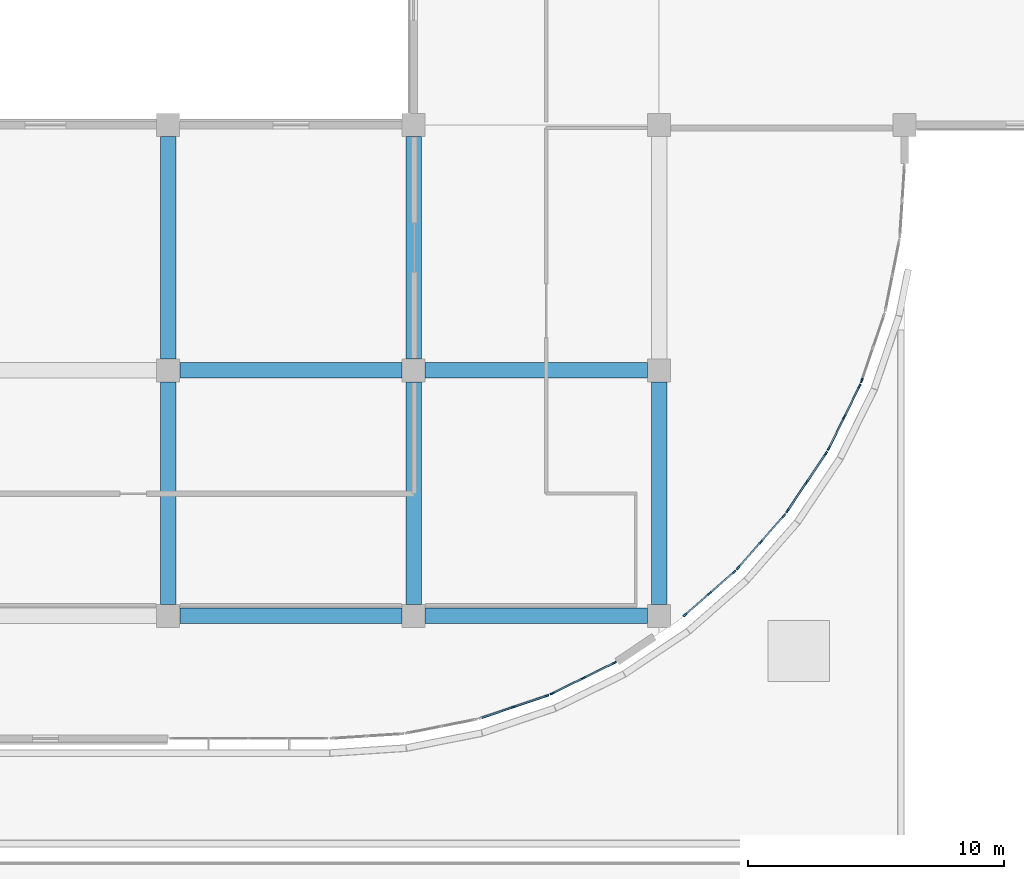
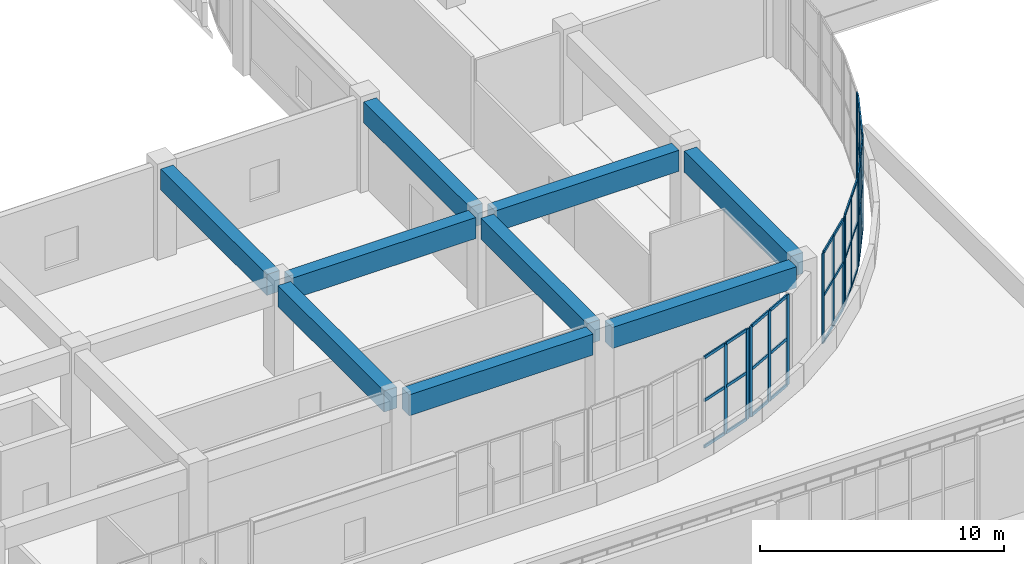
# One storey, part 26 of 96: 54 members, 9 beams, 7 elements without a shape of their own.
"""IFC4 building model written with IfcOpenShell, lengths in metres."""

from ifc_helpers import new_model, si_unit, direction, frame, origin, origin_2d, place, context, subcontext, project, spatial, rectangle, extrude, material, layer, layer_set, material_profile, profile_set, type_object, element, aggregate, save


model = new_model("IFC4")

# Units and contexts
model_context = context("Model", 3, precision=1e-05, world=origin(), true_north=direction((0.0, 1.0)))
body_context = subcontext(model_context, "Body", "Model", "MODEL_VIEW")
ifc_project = project(units=[si_unit("LENGTHUNIT", "METRE"), si_unit("AREAUNIT", "SQUARE_METRE"), si_unit("VOLUMEUNIT", "CUBIC_METRE"), si_unit("PLANEANGLEUNIT", "RADIAN"), si_unit("MASSUNIT", "GRAM", prefix="KILO")], contexts=[model_context])

# Site, building, storey
site_placement = place(None, origin())
site = spatial("IfcSite", under=ifc_project, at=site_placement, CompositionType="ELEMENT")
building_placement = place(site_placement, origin())
building = spatial("IfcBuilding", under=site, at=building_placement, Name="Cendralis Terraced Arcade", CompositionType="ELEMENT")
storey_placement = place(building_placement, frame((0.0, 0.0, 10.199951171875)))
storey = spatial("IfcBuildingStorey", under=building, at=storey_placement, Name="L02", CompositionType="ELEMENT", Elevation=10.199951171875)

# Beams
ifc_material_1 = material(Name="Concrete f'c 35 MPa", Category="concrete")
ifc_material_profile_1 = material_profile(ifc_material_1, rectangle(XDim=0.60009765625, YDim=1.050048828125, at=origin_2d()), Name="RC-BM-600x1050", Category="LoadBearing")
ifc_profile_set_1 = profile_set([ifc_material_profile_1], Name="Concrete f'c 35 MPa")
beam_type = type_object("IfcBeamType", Name="BM-600x1050", PredefinedType="JOIST", material=ifc_profile_set_1)
for number, where, z_axis, x_axis, name in (
    (1, (38.85009765625, 69.60009765625, 3.989990234375), (1.0, 0.0, 0.0), (0.0, 1.0, 0.0), "Reinforced Concrete Frame Beam BM-X-L03-H-5_6"),
    (2, (48.449951171875, 69.60009765625, 3.989990234375), (1.0, 0.0, 0.0), (0.0, 1.0, 0.0), "Reinforced Concrete Frame Beam BM-X-L03-H-6_7"),
    (3, (38.85009765625, 79.199951171875, 3.989990234375), (1.0, 0.0, 0.0), (0.0, 1.0, 0.0), "Reinforced Concrete Frame Beam BM-X-L03-J-5_6"),
    (4, (48.449951171875, 79.199951171875, 3.989990234375), (1.0, 0.0, 0.0), (0.0, 1.0, 0.0), "Reinforced Concrete Frame Beam BM-X-L03-J-6_7"),
    (5, (38.39990234375, 70.050048828125, 3.989990234375), (0.0, 1.0, 0.0), (-1.0, 0.0, 0.0), "Reinforced Concrete Frame Beam BM-Y-L03-5-H_J"),
):
    element("IfcBeam", number, at=place(storey_placement, frame(where, z_axis=z_axis, x_axis=x_axis)), inside=storey, type_object=beam_type, Name=name, PredefinedType="JOIST", context=body_context, shape_type="SweptSolid", body=[
        extrude(rectangle(XDim=0.60009765625, YDim=1.050048828125, at=origin_2d()), origin(), (0.0, 0.0, 1.0), 8.699951171875),
    ])
beam_1_placement = place(storey_placement, frame((38.39990234375, 79.64990234375, 3.989990234375), z_axis=(0.0, 1.0, 0.0), x_axis=(-1.0, 0.0, 0.0)))
element("IfcBeam", 6, at=beam_1_placement, inside=storey, type_object=beam_type, Name="Reinforced Concrete Frame Beam BM-Y-L03-5-J_K", PredefinedType="JOIST", context=body_context, shape_type="SweptSolid", body=[
    extrude(rectangle(XDim=0.60009765625, YDim=1.050048828125, at=origin_2d()), origin(), (0.0, 0.0, 1.0), 8.7001953125),
])
beam_2_placement = place(storey_placement, frame((48.0, 70.050048828125, 3.989990234375), z_axis=(0.0, 1.0, 0.0), x_axis=(-1.0, 0.0, 0.0)))
element("IfcBeam", 7, at=beam_2_placement, inside=storey, type_object=beam_type, Name="Reinforced Concrete Frame Beam BM-Y-L03-6-H_J", PredefinedType="JOIST", context=body_context, shape_type="SweptSolid", body=[
    extrude(rectangle(XDim=0.60009765625, YDim=1.050048828125, at=origin_2d()), origin(), (0.0, 0.0, 1.0), 8.699951171875),
])
beam_3_placement = place(storey_placement, frame((48.0, 79.64990234375, 3.989990234375), z_axis=(0.0, 1.0, 0.0), x_axis=(-1.0, 0.0, 0.0)))
element("IfcBeam", 8, at=beam_3_placement, inside=storey, type_object=beam_type, Name="Reinforced Concrete Frame Beam BM-Y-L03-6-J_K", PredefinedType="JOIST", context=body_context, shape_type="SweptSolid", body=[
    extrude(rectangle(XDim=0.60009765625, YDim=1.050048828125, at=origin_2d()), origin(), (0.0, 0.0, 1.0), 8.7001953125),
])
beam_4_placement = place(storey_placement, frame((57.60009765625, 70.050048828125, 3.989990234375), z_axis=(0.0, 1.0, 0.0), x_axis=(-1.0, 0.0, 0.0)))
element("IfcBeam", 9, at=beam_4_placement, inside=storey, type_object=beam_type, Name="Reinforced Concrete Frame Beam BM-Y-L03-7-H_J", PredefinedType="JOIST", context=body_context, shape_type="SweptSolid", body=[
    extrude(rectangle(XDim=0.60009765625, YDim=1.050048828125, at=origin_2d()), origin(), (0.0, 0.0, 1.0), 8.699951171875),
])

# Curtain wall, member
ifc_material_2 = material(Name="Anodised aluminium EN AW-6063 T6", Category="aluminium")
ifc_layer = layer(ifc_material_2, 0.179931640625, Name="CW-UNIT-A")
ifc_layer_set = layer_set([ifc_layer], Name="Anodised aluminium EN AW-6063 T6")
curtain_wall_type = type_object("IfcCurtainWallType", Name="CW-UNIT-A", PredefinedType="USERDEFINED", material=ifc_layer_set)
curtain_wall_1_placement = place(storey_placement, origin())
curtain_wall_1 = element("IfcCurtainWall", 10, at=curtain_wall_1_placement, inside=storey, type_object=curtain_wall_type, Name="Exterior Unitised Facade CW-L02-0118", ObjectType="UNITISED FACADE", PredefinedType="USERDEFINED")
ifc_material_profile_2 = material_profile(ifc_material_2, rectangle(XDim=0.06494140625, YDim=0.179931640625, at=origin_2d()), Name="ALU-MUL-65x180")
ifc_profile_set_2 = profile_set([ifc_material_profile_2], Name="Anodised aluminium EN AW-6063 T6")
member_type_1 = type_object("IfcMemberType", Name="CW-UNIT-A-MUL", PredefinedType="MULLION", material=ifc_profile_set_2)
member_1_placement = place(storey_placement, frame((65.526611328125, 78.8056640625, 0.0), z_axis=(0.0, 0.0, 1.0), x_axis=(0.94693189345, -0.321434268814, 0.0)))
member_1 = element("IfcMember", 11, at=member_1_placement, type_object=member_type_1, Name="CW-U1 mullion 3", PredefinedType="MULLION", context=body_context, shape_type="SweptSolid", body=[
    extrude(rectangle(XDim=0.06494140625, YDim=0.179931640625, at=origin_2d()), origin(), (0.0, 0.0, 1.0), 4.51513671875),
])
aggregate(curtain_wall_1, [member_1])

# Curtain wall, members
curtain_wall_2_placement = place(storey_placement, origin())
curtain_wall_2 = element("IfcCurtainWall", 12, at=curtain_wall_2_placement, inside=storey, type_object=curtain_wall_type, Name="Exterior Unitised Facade CW-L02-0119", ObjectType="UNITISED FACADE", PredefinedType="USERDEFINED")
member_2_placement = place(storey_placement, frame((65.43310546875, 78.579833984375, 0.0), z_axis=(0.0, 0.0, 1.0), x_axis=(0.896874607047, -0.442284907309, 0.0)))
member_2 = element("IfcMember", 13, at=member_2_placement, type_object=member_type_1, Name="CW-U1 mullion 1", PredefinedType="MULLION", context=body_context, shape_type="SweptSolid", body=[
    extrude(rectangle(XDim=0.06494140625, YDim=0.179931640625, at=origin_2d()), origin(), (0.0, 0.0, 1.0), 4.51513671875),
])
member_3_placement = place(storey_placement, frame((64.83642578125, 77.369873046875, 0.0), z_axis=(0.0, 0.0, 1.0), x_axis=(0.896874607047, -0.442284907309, 0.0)))
member_3 = element("IfcMember", 14, at=member_3_placement, type_object=member_type_1, Name="CW-U1 mullion 2", PredefinedType="MULLION", context=body_context, shape_type="SweptSolid", body=[
    extrude(rectangle(XDim=0.06494140625, YDim=0.179931640625, at=origin_2d()), origin(), (0.0, 0.0, 1.0), 4.51513671875),
])
member_4_placement = place(storey_placement, frame((64.23974609375, 76.159912109375, 0.0), z_axis=(0.0, 0.0, 1.0), x_axis=(0.896874607047, -0.442284907309, 0.0)))
member_4 = element("IfcMember", 15, at=member_4_placement, type_object=member_type_1, Name="CW-U1 mullion 3", PredefinedType="MULLION", context=body_context, shape_type="SweptSolid", body=[
    extrude(rectangle(XDim=0.06494140625, YDim=0.179931640625, at=origin_2d()), origin(), (0.0, 0.0, 1.0), 4.51513671875),
])

curtain_wall_3_placement = place(storey_placement, origin())
curtain_wall_3 = element("IfcCurtainWall", 16, at=curtain_wall_3_placement, inside=storey, type_object=curtain_wall_type, Name="Exterior Unitised Facade CW-L02-0120", ObjectType="UNITISED FACADE", PredefinedType="USERDEFINED")
member_5_placement = place(storey_placement, frame((64.117431640625, 75.9482421875, 0.0), z_axis=(0.0, 0.0, 1.0), x_axis=(0.831476369685, -0.555560119749, 0.0)))
member_5 = element("IfcMember", 17, at=member_5_placement, type_object=member_type_1, Name="CW-U1 mullion 1", PredefinedType="MULLION", context=body_context, shape_type="SweptSolid", body=[
    extrude(rectangle(XDim=0.06494140625, YDim=0.179931640625, at=origin_2d()), origin(), (0.0, 0.0, 1.0), 4.51513671875),
])
member_6_placement = place(storey_placement, frame((63.3681640625, 74.826416015625, 0.0), z_axis=(0.0, 0.0, 1.0), x_axis=(0.831476369685, -0.555560119749, 0.0)))
member_6 = element("IfcMember", 18, at=member_6_placement, type_object=member_type_1, Name="CW-U1 mullion 2", PredefinedType="MULLION", context=body_context, shape_type="SweptSolid", body=[
    extrude(rectangle(XDim=0.06494140625, YDim=0.179931640625, at=origin_2d()), origin(), (0.0, 0.0, 1.0), 4.51513671875),
])
member_7_placement = place(storey_placement, frame((62.61865234375, 73.704833984375, 0.0), z_axis=(0.0, 0.0, 1.0), x_axis=(0.831476369685, -0.555560119749, 0.0)))
member_7 = element("IfcMember", 19, at=member_7_placement, type_object=member_type_1, Name="CW-U1 mullion 3", PredefinedType="MULLION", context=body_context, shape_type="SweptSolid", body=[
    extrude(rectangle(XDim=0.06494140625, YDim=0.179931640625, at=origin_2d()), origin(), (0.0, 0.0, 1.0), 4.51513671875),
])

curtain_wall_4_placement = place(storey_placement, origin())
curtain_wall_4 = element("IfcCurtainWall", 20, at=curtain_wall_4_placement, inside=storey, type_object=curtain_wall_type, Name="Exterior Unitised Facade CW-L02-0121", ObjectType="UNITISED FACADE", PredefinedType="USERDEFINED")
member_8_placement = place(storey_placement, frame((62.4697265625, 73.5107421875, 0.0), z_axis=(0.0, 0.0, 1.0), x_axis=(0.75180947064, -0.659380406029, 0.0)))
member_8 = element("IfcMember", 21, at=member_8_placement, type_object=member_type_1, Name="CW-U1 mullion 1", PredefinedType="MULLION", context=body_context, shape_type="SweptSolid", body=[
    extrude(rectangle(XDim=0.06494140625, YDim=0.179931640625, at=origin_2d()), origin(), (0.0, 0.0, 1.0), 4.51513671875),
])
member_9_placement = place(storey_placement, frame((61.580078125, 72.49658203125, 0.0), z_axis=(0.0, 0.0, 1.0), x_axis=(0.75180947064, -0.659380406029, 0.0)))
member_9 = element("IfcMember", 22, at=member_9_placement, type_object=member_type_1, Name="CW-U1 mullion 2", PredefinedType="MULLION", context=body_context, shape_type="SweptSolid", body=[
    extrude(rectangle(XDim=0.06494140625, YDim=0.179931640625, at=origin_2d()), origin(), (0.0, 0.0, 1.0), 4.51513671875),
])
member_10_placement = place(storey_placement, frame((60.690673828125, 71.482177734375, 0.0), z_axis=(0.0, 0.0, 1.0), x_axis=(0.75180947064, -0.659380406029, 0.0)))
member_10 = element("IfcMember", 23, at=member_10_placement, type_object=member_type_1, Name="CW-U1 mullion 3", PredefinedType="MULLION", context=body_context, shape_type="SweptSolid", body=[
    extrude(rectangle(XDim=0.06494140625, YDim=0.179931640625, at=origin_2d()), origin(), (0.0, 0.0, 1.0), 4.51513671875),
])

curtain_wall_5_placement = place(storey_placement, origin())
curtain_wall_5 = element("IfcCurtainWall", 24, at=curtain_wall_5_placement, inside=storey, type_object=curtain_wall_type, Name="Exterior Unitised Facade CW-L02-0122", ObjectType="UNITISED FACADE", PredefinedType="USERDEFINED")
member_11_placement = place(storey_placement, frame((60.517822265625, 71.309326171875, 0.0), z_axis=(0.0, 0.0, 1.0), x_axis=(0.6593724291, -0.751816466794, 0.0)))
member_11 = element("IfcMember", 25, at=member_11_placement, type_object=member_type_1, Name="CW-U1 mullion 1", PredefinedType="MULLION", context=body_context, shape_type="SweptSolid", body=[
    extrude(rectangle(XDim=0.06494140625, YDim=0.179931640625, at=origin_2d()), origin(), (0.0, 0.0, 1.0), 4.51513671875),
])
member_12_placement = place(storey_placement, frame((59.5673828125, 70.475830078125, 0.0), z_axis=(0.0, 0.0, 1.0), x_axis=(0.6593724291, -0.751816466794, 0.0)))
member_12 = element("IfcMember", 26, at=member_12_placement, type_object=member_type_1, Name="CW-U1 mullion 2", PredefinedType="MULLION", context=body_context, shape_type="SweptSolid", body=[
    extrude(rectangle(XDim=0.06494140625, YDim=0.179931640625, at=origin_2d()), origin(), (0.0, 0.0, 1.0), 4.51513671875),
])
member_13_placement = place(storey_placement, frame((58.6171875, 69.642578125, 0.0), z_axis=(0.0, 0.0, 1.0), x_axis=(0.6593724291, -0.751816466794, 0.0)))
member_13 = element("IfcMember", 27, at=member_13_placement, type_object=member_type_1, Name="CW-U1 mullion 3", PredefinedType="MULLION", context=body_context, shape_type="SweptSolid", body=[
    extrude(rectangle(XDim=0.06494140625, YDim=0.179931640625, at=origin_2d()), origin(), (0.0, 0.0, 1.0), 4.51513671875),
])

curtain_wall_6_placement = place(storey_placement, origin())
curtain_wall_6 = element("IfcCurtainWall", 28, at=curtain_wall_6_placement, inside=storey, type_object=curtain_wall_type, Name="Exterior Unitised Facade CW-L02-0123", ObjectType="UNITISED FACADE", PredefinedType="USERDEFINED")
member_14_placement = place(storey_placement, frame((55.840087890625, 67.76025390625, 0.0), z_axis=(0.0, 0.0, 1.0), x_axis=(0.442284907309, -0.896874607047, 0.0)))
member_14 = element("IfcMember", 29, at=member_14_placement, type_object=member_type_1, Name="CW-U1 mullion 1", PredefinedType="MULLION", context=body_context, shape_type="SweptSolid", body=[
    extrude(rectangle(XDim=0.06494140625, YDim=0.179931640625, at=origin_2d()), origin(), (0.0, 0.0, 1.0), 4.51513671875),
])
member_15_placement = place(storey_placement, frame((54.630126953125, 67.16357421875, 0.0), z_axis=(0.0, 0.0, 1.0), x_axis=(0.442284907309, -0.896874607047, 0.0)))
member_15 = element("IfcMember", 30, at=member_15_placement, type_object=member_type_1, Name="CW-U1 mullion 2", PredefinedType="MULLION", context=body_context, shape_type="SweptSolid", body=[
    extrude(rectangle(XDim=0.06494140625, YDim=0.179931640625, at=origin_2d()), origin(), (0.0, 0.0, 1.0), 4.51513671875),
])
member_16_placement = place(storey_placement, frame((53.420166015625, 66.56689453125, 0.0), z_axis=(0.0, 0.0, 1.0), x_axis=(0.442284907309, -0.896874607047, 0.0)))
member_16 = element("IfcMember", 31, at=member_16_placement, type_object=member_type_1, Name="CW-U1 mullion 3", PredefinedType="MULLION", context=body_context, shape_type="SweptSolid", body=[
    extrude(rectangle(XDim=0.06494140625, YDim=0.179931640625, at=origin_2d()), origin(), (0.0, 0.0, 1.0), 4.51513671875),
])

curtain_wall_7_placement = place(storey_placement, origin())
curtain_wall_7 = element("IfcCurtainWall", 32, at=curtain_wall_7_placement, inside=storey, type_object=curtain_wall_type, Name="Exterior Unitised Facade CW-L02-0124", ObjectType="UNITISED FACADE", PredefinedType="USERDEFINED")
member_17_placement = place(storey_placement, frame((53.1943359375, 66.473388671875, 0.0), z_axis=(0.0, 0.0, 1.0), x_axis=(0.321434268814, -0.94693189345, 0.0)))
member_17 = element("IfcMember", 33, at=member_17_placement, type_object=member_type_1, Name="CW-U1 mullion 1", PredefinedType="MULLION", context=body_context, shape_type="SweptSolid", body=[
    extrude(rectangle(XDim=0.06494140625, YDim=0.179931640625, at=origin_2d()), origin(), (0.0, 0.0, 1.0), 4.51513671875),
])
member_18_placement = place(storey_placement, frame((51.9169921875, 66.039794921875, 0.0), z_axis=(0.0, 0.0, 1.0), x_axis=(0.321434268814, -0.94693189345, 0.0)))
member_18 = element("IfcMember", 34, at=member_18_placement, type_object=member_type_1, Name="CW-U1 mullion 2", PredefinedType="MULLION", context=body_context, shape_type="SweptSolid", body=[
    extrude(rectangle(XDim=0.06494140625, YDim=0.179931640625, at=origin_2d()), origin(), (0.0, 0.0, 1.0), 4.51513671875),
])

# Member
ifc_material_profile_3 = material_profile(ifc_material_2, rectangle(XDim=0.06494140625, YDim=0.14990234375, at=origin_2d()), Name="ALU-TRN-65x150")
ifc_profile_set_3 = profile_set([ifc_material_profile_3], Name="Anodised aluminium EN AW-6063 T6")
member_type_2 = type_object("IfcMemberType", Name="CW-UNIT-A-TRN", PredefinedType="USERDEFINED", material=ifc_profile_set_3)
member_19_placement = place(storey_placement, frame((65.418701171875, 78.550537109375, 0.032470703125), z_axis=(-0.442263152263, -0.896885335007, 0.0), x_axis=(0.896885335007, -0.442263152263, 0.0)))
member_19 = element("IfcMember", 35, at=member_19_placement, type_object=member_type_2, Name="CW-U1 transom 1.1", ObjectType="TRANSOM", PredefinedType="USERDEFINED", context=body_context, shape_type="SweptSolid", body=[
    extrude(rectangle(XDim=0.06494140625, YDim=0.14990234375, at=origin_2d()), origin(), (0.0, 0.0, 1.0), 1.283935546875),
])

member_20_placement = place(storey_placement, frame((65.418701171875, 78.550537109375, 2.347900390625), z_axis=(-0.442263152263, -0.896885335007, 0.0), x_axis=(0.896885335007, -0.442263152263, 0.0)))
member_20 = element("IfcMember", 36, at=member_20_placement, type_object=member_type_2, Name="CW-U1 transom 1.2", ObjectType="TRANSOM", PredefinedType="USERDEFINED", context=body_context, shape_type="SweptSolid", body=[
    extrude(rectangle(XDim=0.06494140625, YDim=0.14990234375, at=origin_2d()), origin(), (0.0, 0.0, 1.0), 1.283935546875),
])

member_21_placement = place(storey_placement, frame((65.418701171875, 78.550537109375, 4.482666015625), z_axis=(-0.442263152263, -0.896885335007, 0.0), x_axis=(0.896885335007, -0.442263152263, 0.0)))
member_21 = element("IfcMember", 37, at=member_21_placement, type_object=member_type_2, Name="CW-U1 transom 1.3", ObjectType="TRANSOM", PredefinedType="USERDEFINED", context=body_context, shape_type="SweptSolid", body=[
    extrude(rectangle(XDim=0.06494140625, YDim=0.14990234375, at=origin_2d()), origin(), (0.0, 0.0, 1.0), 1.283935546875),
])

member_22_placement = place(storey_placement, frame((64.822021484375, 77.340576171875, 0.032470703125), z_axis=(-0.442263152263, -0.896885335007, 0.0), x_axis=(0.896885335007, -0.442263152263, 0.0)))
member_22 = element("IfcMember", 38, at=member_22_placement, type_object=member_type_2, Name="CW-U1 transom 2.1", ObjectType="TRANSOM", PredefinedType="USERDEFINED", context=body_context, shape_type="SweptSolid", body=[
    extrude(rectangle(XDim=0.06494140625, YDim=0.14990234375, at=origin_2d()), origin(), (0.0, 0.0, 1.0), 1.283935546875),
])

member_23_placement = place(storey_placement, frame((64.822021484375, 77.340576171875, 2.347900390625), z_axis=(-0.442263152263, -0.896885335007, 0.0), x_axis=(0.896885335007, -0.442263152263, 0.0)))
member_23 = element("IfcMember", 39, at=member_23_placement, type_object=member_type_2, Name="CW-U1 transom 2.2", ObjectType="TRANSOM", PredefinedType="USERDEFINED", context=body_context, shape_type="SweptSolid", body=[
    extrude(rectangle(XDim=0.06494140625, YDim=0.14990234375, at=origin_2d()), origin(), (0.0, 0.0, 1.0), 1.283935546875),
])

member_24_placement = place(storey_placement, frame((64.822021484375, 77.340576171875, 4.482666015625), z_axis=(-0.442263152263, -0.896885335007, 0.0), x_axis=(0.896885335007, -0.442263152263, 0.0)))
member_24 = element("IfcMember", 40, at=member_24_placement, type_object=member_type_2, Name="CW-U1 transom 2.3", ObjectType="TRANSOM", PredefinedType="USERDEFINED", context=body_context, shape_type="SweptSolid", body=[
    extrude(rectangle(XDim=0.06494140625, YDim=0.14990234375, at=origin_2d()), origin(), (0.0, 0.0, 1.0), 1.283935546875),
])

aggregate(curtain_wall_2, [member_2, member_3, member_4, member_19, member_20, member_21, member_22, member_23, member_24])

member_25_placement = place(storey_placement, frame((64.099609375, 75.921142578125, 0.032470703125), z_axis=(-0.555708865165, -0.831376964546, 0.0), x_axis=(0.831376964546, -0.555708865165, 0.0)))
member_25 = element("IfcMember", 41, at=member_25_placement, type_object=member_type_2, Name="CW-U1 transom 1.1", ObjectType="TRANSOM", PredefinedType="USERDEFINED", context=body_context, shape_type="SweptSolid", body=[
    extrude(rectangle(XDim=0.06494140625, YDim=0.14990234375, at=origin_2d()), origin(), (0.0, 0.0, 1.0), 1.2841796875),
])

member_26_placement = place(storey_placement, frame((64.099609375, 75.921142578125, 2.347900390625), z_axis=(-0.555708865165, -0.831376964546, 0.0), x_axis=(0.831376964546, -0.555708865165, 0.0)))
member_26 = element("IfcMember", 42, at=member_26_placement, type_object=member_type_2, Name="CW-U1 transom 1.2", ObjectType="TRANSOM", PredefinedType="USERDEFINED", context=body_context, shape_type="SweptSolid", body=[
    extrude(rectangle(XDim=0.06494140625, YDim=0.14990234375, at=origin_2d()), origin(), (0.0, 0.0, 1.0), 1.2841796875),
])

member_27_placement = place(storey_placement, frame((64.099609375, 75.921142578125, 4.482666015625), z_axis=(-0.555708865165, -0.831376964546, 0.0), x_axis=(0.831376964546, -0.555708865165, 0.0)))
member_27 = element("IfcMember", 43, at=member_27_placement, type_object=member_type_2, Name="CW-U1 transom 1.3", ObjectType="TRANSOM", PredefinedType="USERDEFINED", context=body_context, shape_type="SweptSolid", body=[
    extrude(rectangle(XDim=0.06494140625, YDim=0.14990234375, at=origin_2d()), origin(), (0.0, 0.0, 1.0), 1.2841796875),
])

member_28_placement = place(storey_placement, frame((63.35009765625, 74.79931640625, 0.032470703125), z_axis=(-0.555577438555, -0.831464797673, 0.0), x_axis=(0.831464797673, -0.555577438555, 0.0)))
member_28 = element("IfcMember", 44, at=member_28_placement, type_object=member_type_2, Name="CW-U1 transom 2.1", ObjectType="TRANSOM", PredefinedType="USERDEFINED", context=body_context, shape_type="SweptSolid", body=[
    extrude(rectangle(XDim=0.06494140625, YDim=0.14990234375, at=origin_2d()), origin(), (0.0, 0.0, 1.0), 1.283935546875),
])

member_29_placement = place(storey_placement, frame((63.35009765625, 74.79931640625, 2.347900390625), z_axis=(-0.555577438555, -0.831464797673, 0.0), x_axis=(0.831464797673, -0.555577438555, 0.0)))
member_29 = element("IfcMember", 45, at=member_29_placement, type_object=member_type_2, Name="CW-U1 transom 2.2", ObjectType="TRANSOM", PredefinedType="USERDEFINED", context=body_context, shape_type="SweptSolid", body=[
    extrude(rectangle(XDim=0.06494140625, YDim=0.14990234375, at=origin_2d()), origin(), (0.0, 0.0, 1.0), 1.283935546875),
])

member_30_placement = place(storey_placement, frame((63.35009765625, 74.79931640625, 4.482666015625), z_axis=(-0.555577438555, -0.831464797673, 0.0), x_axis=(0.831464797673, -0.555577438555, 0.0)))
member_30 = element("IfcMember", 46, at=member_30_placement, type_object=member_type_2, Name="CW-U1 transom 2.3", ObjectType="TRANSOM", PredefinedType="USERDEFINED", context=body_context, shape_type="SweptSolid", body=[
    extrude(rectangle(XDim=0.06494140625, YDim=0.14990234375, at=origin_2d()), origin(), (0.0, 0.0, 1.0), 1.283935546875),
])

aggregate(curtain_wall_3, [member_5, member_6, member_7, member_25, member_26, member_27, member_28, member_29, member_30])

member_31_placement = place(storey_placement, frame((62.4482421875, 73.486328125, 0.032470703125), z_axis=(-0.659392573347, -0.751798799024, 0.0), x_axis=(0.751798799024, -0.659392573347, 0.0)))
member_31 = element("IfcMember", 47, at=member_31_placement, type_object=member_type_2, Name="CW-U1 transom 1.1", ObjectType="TRANSOM", PredefinedType="USERDEFINED", context=body_context, shape_type="SweptSolid", body=[
    extrude(rectangle(XDim=0.06494140625, YDim=0.14990234375, at=origin_2d()), origin(), (0.0, 0.0, 1.0), 1.283935546875),
])

member_32_placement = place(storey_placement, frame((62.4482421875, 73.486328125, 2.347900390625), z_axis=(-0.659392573347, -0.751798799024, 0.0), x_axis=(0.751798799024, -0.659392573347, 0.0)))
member_32 = element("IfcMember", 48, at=member_32_placement, type_object=member_type_2, Name="CW-U1 transom 1.2", ObjectType="TRANSOM", PredefinedType="USERDEFINED", context=body_context, shape_type="SweptSolid", body=[
    extrude(rectangle(XDim=0.06494140625, YDim=0.14990234375, at=origin_2d()), origin(), (0.0, 0.0, 1.0), 1.283935546875),
])

member_33_placement = place(storey_placement, frame((62.4482421875, 73.486328125, 4.482666015625), z_axis=(-0.659392573347, -0.751798799024, 0.0), x_axis=(0.751798799024, -0.659392573347, 0.0)))
member_33 = element("IfcMember", 49, at=member_33_placement, type_object=member_type_2, Name="CW-U1 transom 1.3", ObjectType="TRANSOM", PredefinedType="USERDEFINED", context=body_context, shape_type="SweptSolid", body=[
    extrude(rectangle(XDim=0.06494140625, YDim=0.14990234375, at=origin_2d()), origin(), (0.0, 0.0, 1.0), 1.283935546875),
])

member_34_placement = place(storey_placement, frame((61.558837890625, 72.47216796875, 0.032470703125), z_axis=(-0.659298325284, -0.751881452277, 0.0), x_axis=(0.751881452277, -0.659298325284, 0.0)))
member_34 = element("IfcMember", 50, at=member_34_placement, type_object=member_type_2, Name="CW-U1 transom 2.1", ObjectType="TRANSOM", PredefinedType="USERDEFINED", context=body_context, shape_type="SweptSolid", body=[
    extrude(rectangle(XDim=0.06494140625, YDim=0.14990234375, at=origin_2d()), origin(), (0.0, 0.0, 1.0), 1.2841796875),
])

member_35_placement = place(storey_placement, frame((61.558837890625, 72.47216796875, 2.347900390625), z_axis=(-0.659298325284, -0.751881452277, 0.0), x_axis=(0.751881452277, -0.659298325284, 0.0)))
member_35 = element("IfcMember", 51, at=member_35_placement, type_object=member_type_2, Name="CW-U1 transom 2.2", ObjectType="TRANSOM", PredefinedType="USERDEFINED", context=body_context, shape_type="SweptSolid", body=[
    extrude(rectangle(XDim=0.06494140625, YDim=0.14990234375, at=origin_2d()), origin(), (0.0, 0.0, 1.0), 1.2841796875),
])

member_36_placement = place(storey_placement, frame((61.558837890625, 72.47216796875, 4.482666015625), z_axis=(-0.659298325284, -0.751881452277, 0.0), x_axis=(0.751881452277, -0.659298325284, 0.0)))
member_36 = element("IfcMember", 52, at=member_36_placement, type_object=member_type_2, Name="CW-U1 transom 2.3", ObjectType="TRANSOM", PredefinedType="USERDEFINED", context=body_context, shape_type="SweptSolid", body=[
    extrude(rectangle(XDim=0.06494140625, YDim=0.14990234375, at=origin_2d()), origin(), (0.0, 0.0, 1.0), 1.2841796875),
])

aggregate(curtain_wall_4, [member_8, member_9, member_10, member_31, member_32, member_33, member_34, member_35, member_36])

member_37_placement = place(storey_placement, frame((60.493408203125, 71.287841796875, 0.032470703125), z_axis=(-0.751819325252, -0.659369169872, 0.0), x_axis=(0.659369169872, -0.751819325252, 0.0)))
member_37 = element("IfcMember", 53, at=member_37_placement, type_object=member_type_2, Name="CW-U1 transom 1.1", ObjectType="TRANSOM", PredefinedType="USERDEFINED", context=body_context, shape_type="SweptSolid", body=[
    extrude(rectangle(XDim=0.06494140625, YDim=0.14990234375, at=origin_2d()), origin(), (0.0, 0.0, 1.0), 1.198974609375),
])

member_38_placement = place(storey_placement, frame((60.493408203125, 71.287841796875, 2.347900390625), z_axis=(-0.751819325252, -0.659369169872, 0.0), x_axis=(0.659369169872, -0.751819325252, 0.0)))
member_38 = element("IfcMember", 54, at=member_38_placement, type_object=member_type_2, Name="CW-U1 transom 1.2", ObjectType="TRANSOM", PredefinedType="USERDEFINED", context=body_context, shape_type="SweptSolid", body=[
    extrude(rectangle(XDim=0.06494140625, YDim=0.14990234375, at=origin_2d()), origin(), (0.0, 0.0, 1.0), 1.198974609375),
])

member_39_placement = place(storey_placement, frame((60.493408203125, 71.287841796875, 4.482666015625), z_axis=(-0.751819325252, -0.659369169872, 0.0), x_axis=(0.659369169872, -0.751819325252, 0.0)))
member_39 = element("IfcMember", 55, at=member_39_placement, type_object=member_type_2, Name="CW-U1 transom 1.3", ObjectType="TRANSOM", PredefinedType="USERDEFINED", context=body_context, shape_type="SweptSolid", body=[
    extrude(rectangle(XDim=0.06494140625, YDim=0.14990234375, at=origin_2d()), origin(), (0.0, 0.0, 1.0), 1.198974609375),
])

member_40_placement = place(storey_placement, frame((59.54296875, 70.45458984375, 0.032470703125), z_axis=(-0.751819325252, -0.659369169872, 0.0), x_axis=(0.659369169872, -0.751819325252, 0.0)))
member_40 = element("IfcMember", 56, at=member_40_placement, type_object=member_type_2, Name="CW-U1 transom 2.1", ObjectType="TRANSOM", PredefinedType="USERDEFINED", context=body_context, shape_type="SweptSolid", body=[
    extrude(rectangle(XDim=0.06494140625, YDim=0.14990234375, at=origin_2d()), origin(), (0.0, 0.0, 1.0), 1.198974609375),
])

member_41_placement = place(storey_placement, frame((59.54296875, 70.45458984375, 2.347900390625), z_axis=(-0.751819325252, -0.659369169872, 0.0), x_axis=(0.659369169872, -0.751819325252, 0.0)))
member_41 = element("IfcMember", 57, at=member_41_placement, type_object=member_type_2, Name="CW-U1 transom 2.2", ObjectType="TRANSOM", PredefinedType="USERDEFINED", context=body_context, shape_type="SweptSolid", body=[
    extrude(rectangle(XDim=0.06494140625, YDim=0.14990234375, at=origin_2d()), origin(), (0.0, 0.0, 1.0), 1.198974609375),
])

member_42_placement = place(storey_placement, frame((59.54296875, 70.45458984375, 4.482666015625), z_axis=(-0.751819325252, -0.659369169872, 0.0), x_axis=(0.659369169872, -0.751819325252, 0.0)))
member_42 = element("IfcMember", 58, at=member_42_placement, type_object=member_type_2, Name="CW-U1 transom 2.3", ObjectType="TRANSOM", PredefinedType="USERDEFINED", context=body_context, shape_type="SweptSolid", body=[
    extrude(rectangle(XDim=0.06494140625, YDim=0.14990234375, at=origin_2d()), origin(), (0.0, 0.0, 1.0), 1.198974609375),
])

aggregate(curtain_wall_5, [member_11, member_12, member_13, member_37, member_38, member_39, member_40, member_41, member_42])

member_43_placement = place(storey_placement, frame((55.81103515625, 67.745849609375, 0.032470703125), z_axis=(-0.896885335007, -0.442263152263, 0.0), x_axis=(0.442263152263, -0.896885335007, 0.0)))
member_43 = element("IfcMember", 59, at=member_43_placement, type_object=member_type_2, Name="CW-U1 transom 1.1", ObjectType="TRANSOM", PredefinedType="USERDEFINED", context=body_context, shape_type="SweptSolid", body=[
    extrude(rectangle(XDim=0.06494140625, YDim=0.14990234375, at=origin_2d()), origin(), (0.0, 0.0, 1.0), 1.283935546875),
])

member_44_placement = place(storey_placement, frame((55.81103515625, 67.745849609375, 2.347900390625), z_axis=(-0.896885335007, -0.442263152263, 0.0), x_axis=(0.442263152263, -0.896885335007, 0.0)))
member_44 = element("IfcMember", 60, at=member_44_placement, type_object=member_type_2, Name="CW-U1 transom 1.2", ObjectType="TRANSOM", PredefinedType="USERDEFINED", context=body_context, shape_type="SweptSolid", body=[
    extrude(rectangle(XDim=0.06494140625, YDim=0.14990234375, at=origin_2d()), origin(), (0.0, 0.0, 1.0), 1.283935546875),
])

member_45_placement = place(storey_placement, frame((55.81103515625, 67.745849609375, 4.482666015625), z_axis=(-0.896885335007, -0.442263152263, 0.0), x_axis=(0.442263152263, -0.896885335007, 0.0)))
member_45 = element("IfcMember", 61, at=member_45_placement, type_object=member_type_2, Name="CW-U1 transom 1.3", ObjectType="TRANSOM", PredefinedType="USERDEFINED", context=body_context, shape_type="SweptSolid", body=[
    extrude(rectangle(XDim=0.06494140625, YDim=0.14990234375, at=origin_2d()), origin(), (0.0, 0.0, 1.0), 1.283935546875),
])

member_46_placement = place(storey_placement, frame((54.60107421875, 67.149169921875, 0.032470703125), z_axis=(-0.896885335007, -0.442263152263, 0.0), x_axis=(0.442263152263, -0.896885335007, 0.0)))
member_46 = element("IfcMember", 62, at=member_46_placement, type_object=member_type_2, Name="CW-U1 transom 2.1", ObjectType="TRANSOM", PredefinedType="USERDEFINED", context=body_context, shape_type="SweptSolid", body=[
    extrude(rectangle(XDim=0.06494140625, YDim=0.14990234375, at=origin_2d()), origin(), (0.0, 0.0, 1.0), 1.283935546875),
])

member_47_placement = place(storey_placement, frame((54.60107421875, 67.149169921875, 2.347900390625), z_axis=(-0.896885335007, -0.442263152263, 0.0), x_axis=(0.442263152263, -0.896885335007, 0.0)))
member_47 = element("IfcMember", 63, at=member_47_placement, type_object=member_type_2, Name="CW-U1 transom 2.2", ObjectType="TRANSOM", PredefinedType="USERDEFINED", context=body_context, shape_type="SweptSolid", body=[
    extrude(rectangle(XDim=0.06494140625, YDim=0.14990234375, at=origin_2d()), origin(), (0.0, 0.0, 1.0), 1.283935546875),
])

member_48_placement = place(storey_placement, frame((54.60107421875, 67.149169921875, 4.482666015625), z_axis=(-0.896885335007, -0.442263152263, 0.0), x_axis=(0.442263152263, -0.896885335007, 0.0)))
member_48 = element("IfcMember", 64, at=member_48_placement, type_object=member_type_2, Name="CW-U1 transom 2.3", ObjectType="TRANSOM", PredefinedType="USERDEFINED", context=body_context, shape_type="SweptSolid", body=[
    extrude(rectangle(XDim=0.06494140625, YDim=0.14990234375, at=origin_2d()), origin(), (0.0, 0.0, 1.0), 1.283935546875),
])

aggregate(curtain_wall_6, [member_14, member_15, member_16, member_43, member_44, member_45, member_46, member_47, member_48])

member_49_placement = place(storey_placement, frame((53.16357421875, 66.462890625, 0.032470703125), z_axis=(-0.946900158167, -0.32152774447, 0.0), x_axis=(0.32152774447, -0.946900158167, 0.0)))
member_49 = element("IfcMember", 65, at=member_49_placement, type_object=member_type_2, Name="CW-U1 transom 1.1", ObjectType="TRANSOM", PredefinedType="USERDEFINED", context=body_context, shape_type="SweptSolid", body=[
    extrude(rectangle(XDim=0.06494140625, YDim=0.14990234375, at=origin_2d()), origin(), (0.0, 0.0, 1.0), 1.283935546875),
])

member_50_placement = place(storey_placement, frame((53.16357421875, 66.462890625, 2.347900390625), z_axis=(-0.946900158167, -0.32152774447, 0.0), x_axis=(0.32152774447, -0.946900158167, 0.0)))
member_50 = element("IfcMember", 66, at=member_50_placement, type_object=member_type_2, Name="CW-U1 transom 1.2", ObjectType="TRANSOM", PredefinedType="USERDEFINED", context=body_context, shape_type="SweptSolid", body=[
    extrude(rectangle(XDim=0.06494140625, YDim=0.14990234375, at=origin_2d()), origin(), (0.0, 0.0, 1.0), 1.283935546875),
])

member_51_placement = place(storey_placement, frame((53.16357421875, 66.462890625, 4.482666015625), z_axis=(-0.946900158167, -0.32152774447, 0.0), x_axis=(0.32152774447, -0.946900158167, 0.0)))
member_51 = element("IfcMember", 67, at=member_51_placement, type_object=member_type_2, Name="CW-U1 transom 1.3", ObjectType="TRANSOM", PredefinedType="USERDEFINED", context=body_context, shape_type="SweptSolid", body=[
    extrude(rectangle(XDim=0.06494140625, YDim=0.14990234375, at=origin_2d()), origin(), (0.0, 0.0, 1.0), 1.283935546875),
])

member_52_placement = place(storey_placement, frame((51.88623046875, 66.029296875, 0.032470703125), z_axis=(-0.946919809611, -0.321469865098, 0.0), x_axis=(0.321469865098, -0.946919809611, 0.0)))
member_52 = element("IfcMember", 68, at=member_52_placement, type_object=member_type_2, Name="CW-U1 transom 2.1", ObjectType="TRANSOM", PredefinedType="USERDEFINED", context=body_context, shape_type="SweptSolid", body=[
    extrude(rectangle(XDim=0.06494140625, YDim=0.14990234375, at=origin_2d()), origin(), (0.0, 0.0, 1.0), 1.2841796875),
])

member_53_placement = place(storey_placement, frame((51.88623046875, 66.029296875, 2.347900390625), z_axis=(-0.946919809611, -0.321469865098, 0.0), x_axis=(0.321469865098, -0.946919809611, 0.0)))
member_53 = element("IfcMember", 69, at=member_53_placement, type_object=member_type_2, Name="CW-U1 transom 2.2", ObjectType="TRANSOM", PredefinedType="USERDEFINED", context=body_context, shape_type="SweptSolid", body=[
    extrude(rectangle(XDim=0.06494140625, YDim=0.14990234375, at=origin_2d()), origin(), (0.0, 0.0, 1.0), 1.2841796875),
])

member_54_placement = place(storey_placement, frame((51.88623046875, 66.029296875, 4.482666015625), z_axis=(-0.946919809611, -0.321469865098, 0.0), x_axis=(0.321469865098, -0.946919809611, 0.0)))
member_54 = element("IfcMember", 70, at=member_54_placement, type_object=member_type_2, Name="CW-U1 transom 2.3", ObjectType="TRANSOM", PredefinedType="USERDEFINED", context=body_context, shape_type="SweptSolid", body=[
    extrude(rectangle(XDim=0.06494140625, YDim=0.14990234375, at=origin_2d()), origin(), (0.0, 0.0, 1.0), 1.2841796875),
])

aggregate(curtain_wall_7, [member_17, member_18, member_49, member_50, member_51, member_52, member_53, member_54])

save(model, "model.ifc")
